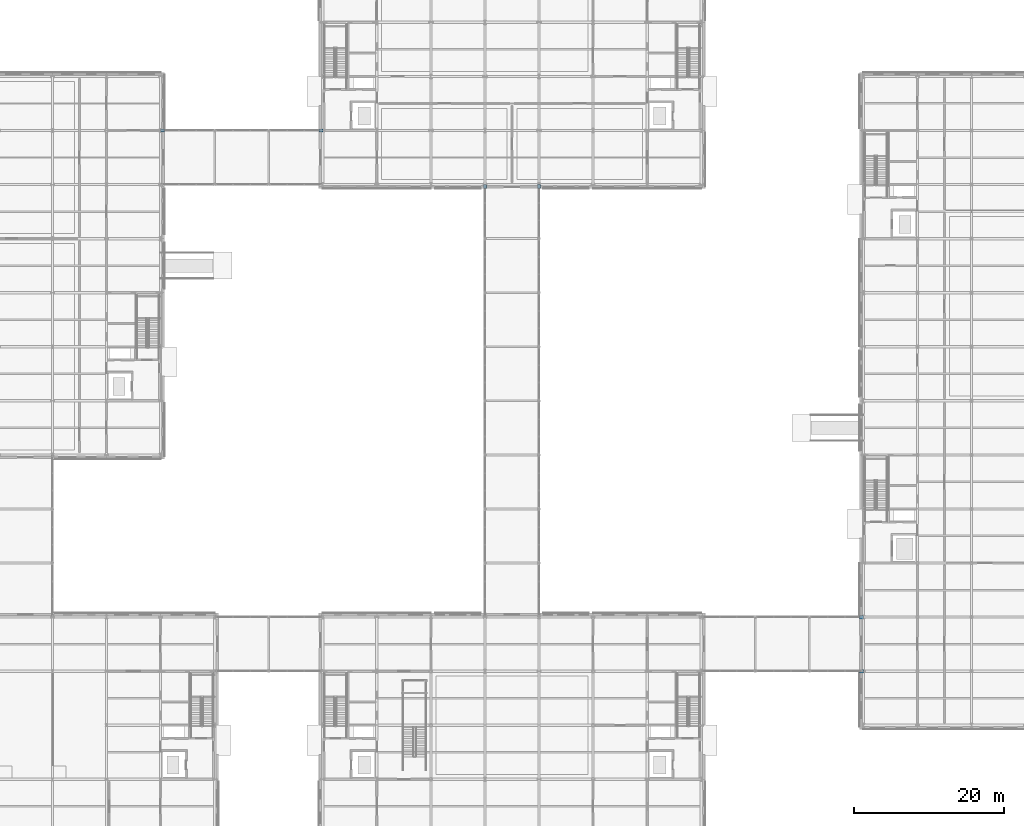
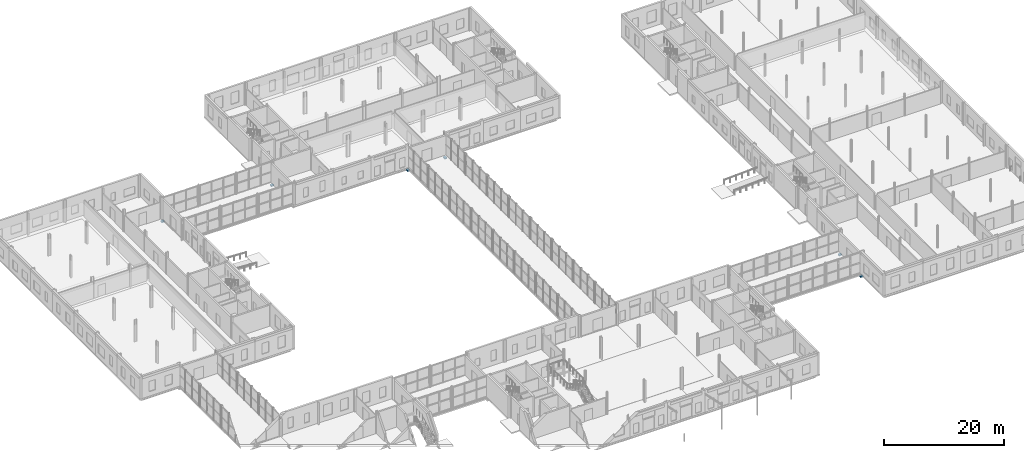
# One storey, part 73 of 92: 6 discrete accessories.
"""IFC4 building model written with IfcOpenShell, lengths in metres."""

from ifc_helpers import new_model, si_unit, direction, frame, origin, origin_2d, place, context, subcontext, project, spatial, rectangle, extrude, material, type_object, element, save


model = new_model("IFC4")

# Units and contexts
model_context = context("Model", 3, precision=1e-05, world=origin(), true_north=direction((0.0, 1.0)))
body_context = subcontext(model_context, "Body", "Model", "MODEL_VIEW")
ifc_project = project(units=[si_unit("LENGTHUNIT", "METRE"), si_unit("AREAUNIT", "SQUARE_METRE"), si_unit("VOLUMEUNIT", "CUBIC_METRE"), si_unit("PLANEANGLEUNIT", "RADIAN"), si_unit("MASSUNIT", "GRAM", prefix="KILO")], contexts=[model_context])

# Site, building, storey
site_placement = place(None, origin())
site = spatial("IfcSite", under=ifc_project, at=site_placement, CompositionType="ELEMENT")
building_placement = place(site_placement, origin())
building = spatial("IfcBuilding", under=site, at=building_placement, Name="Zlatovets Crest Museum", CompositionType="ELEMENT")
storey_placement = place(building_placement, origin())
storey = spatial("IfcBuildingStorey", under=building, at=storey_placement, Name="L00", CompositionType="ELEMENT", Elevation=0.0)

# Discrete accessories
ifc_material = material(Name="Structural steel S355J2", Category="steel")
discrete_accessory_type = type_object("IfcDiscreteAccessoryType", Name="BridgeBearingSeat_BS01", PredefinedType="SHOE", material=ifc_material)
for number, where, z_axis, x_axis, name in (
    (1, (36.260009765625, 93.60009765625, -0.77978515625), (0.0, 0.0, 1.0), (1.0, 0.0, 0.0), "Northwest Crest Glazed Link Bridge L00 520mm Sliding Bearing Seat Corbel Shoe"),
    (2, (57.340087890625, 93.60009765625, -0.77978515625), (0.0, 0.0, 1.0), (1.0, 0.0, 0.0), "Northwest Crest Glazed Link Bridge L00 520mm Sliding Bearing Seat Corbel Shoe"),
    (3, (129.340087890625, 21.60009765625, -0.830078125), (0.0, 0.0, 1.0), (1.0, 0.0, 0.0), "Southeast Archive Glazed Link Bridge L00 520mm Sliding Bearing Seat Corbel Shoe"),
    (4, (129.340087890625, 28.800048828125, -0.830078125), (0.0, 0.0, 1.0), (1.0, 0.0, 0.0), "Southeast Archive Glazed Link Bridge L00 520mm Sliding Bearing Seat Corbel Shoe"),
):
    element("IfcDiscreteAccessory", number, at=place(storey_placement, frame(where, z_axis=z_axis, x_axis=x_axis)), inside=storey, type_object=discrete_accessory_type, Name=name, PredefinedType="SHOE", context=body_context, shape_type="SweptSolid", body=[
        extrude(rectangle(XDim=0.52001953125, YDim=0.449951171875, at=origin_2d()), origin(), (0.0, 0.0, 1.0), 0.280029296875),
    ])
for number, where, z_axis, x_axis, name in (
    (5, (79.199951171875, 86.139892578125, -0.830078125), (0.0, 0.0, 1.0), (1.0, 0.0, 0.0), "Central Sculpture Court Cloister and Skywalk L00 520mm Sliding Bearing Seat Corbel Shoe"),
    (6, (86.39990234375, 86.139892578125, -0.830078125), (0.0, 0.0, 1.0), (1.0, 0.0, 0.0), "Central Sculpture Court Cloister and Skywalk L00 520mm Sliding Bearing Seat Corbel Shoe"),
):
    element("IfcDiscreteAccessory", number, at=place(storey_placement, frame(where, z_axis=z_axis, x_axis=x_axis)), inside=storey, type_object=discrete_accessory_type, Name=name, PredefinedType="SHOE", context=body_context, shape_type="SweptSolid", body=[
        extrude(rectangle(XDim=0.449951171875, YDim=0.52001953125, at=origin_2d()), origin(), (0.0, 0.0, 1.0), 0.280029296875),
    ])

save(model, "model.ifc")
